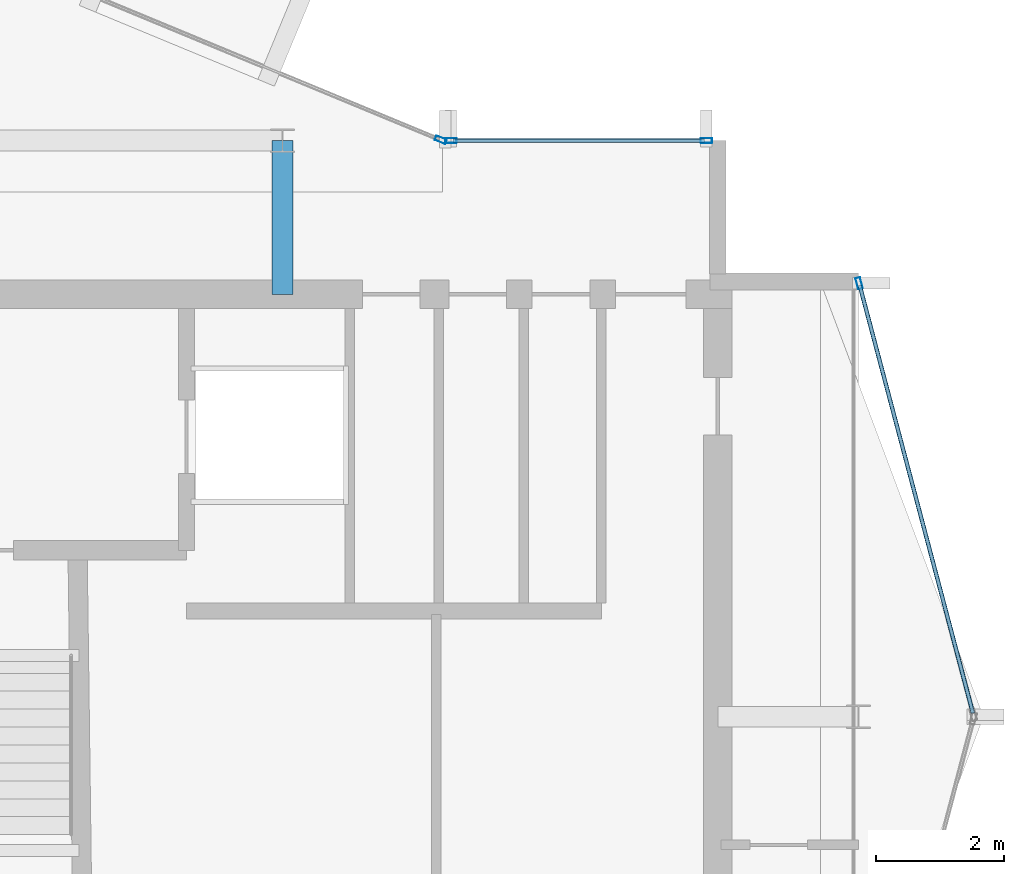
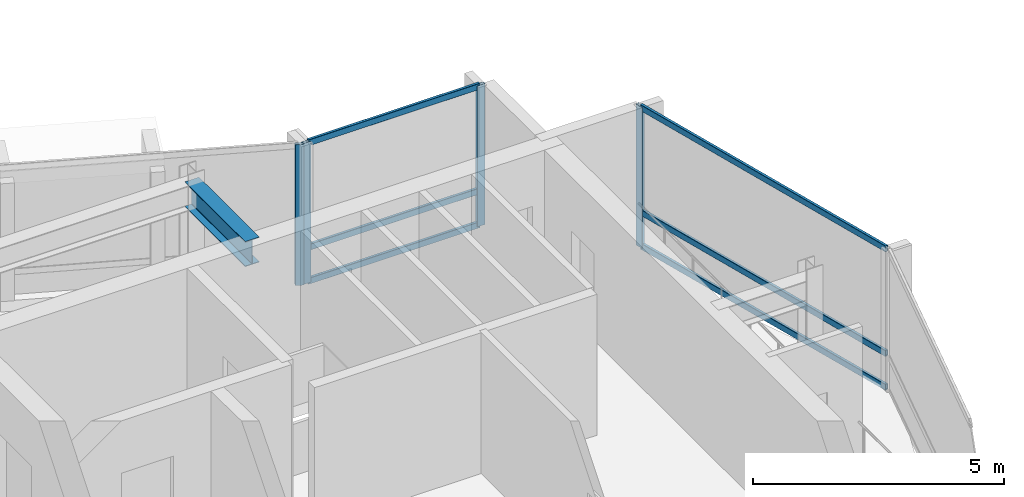
# One storey, part 10 of 19: 10 members, 1 beam, 3 elements without a shape of their own.
"""IFC4 building model written with IfcOpenShell, lengths in metres."""

from ifc_helpers import new_model, si_unit, direction, frame, origin, origin_2d, place, context, subcontext, project, spatial, hollow_rectangle, i_section, extrude, material, layer, layer_set, material_profile, profile_set, type_object, element, aggregate, save


model = new_model("IFC4")

# Units and contexts
model_context = context("Model", 3, precision=1e-05, world=origin(), true_north=direction((0.0, 1.0)))
body_context = subcontext(model_context, "Body", "Model", "MODEL_VIEW")
ifc_project = project(units=[si_unit("LENGTHUNIT", "METRE"), si_unit("AREAUNIT", "SQUARE_METRE"), si_unit("VOLUMEUNIT", "CUBIC_METRE"), si_unit("PLANEANGLEUNIT", "RADIAN"), si_unit("MASSUNIT", "GRAM", prefix="KILO")], contexts=[model_context])

# Site, building, storey
site_placement = place(None, origin())
site = spatial("IfcSite", under=ifc_project, at=site_placement, CompositionType="ELEMENT")
building_placement = place(site_placement, origin())
building = spatial("IfcBuilding", under=site, at=building_placement, Name="Solvaryn Broadcast Tower", CompositionType="ELEMENT")
storey_placement = place(building_placement, frame((0.0, 0.0, 290.0)))
storey = spatial("IfcBuildingStorey", under=building, at=storey_placement, Name="L73", CompositionType="ELEMENT", Elevation=290.0)

# Beam
ifc_material_1 = material(Name="Steel ASTM A992 Grade 50", Category="steel")
ifc_material_profile_1 = material_profile(ifc_material_1, i_section(OverallWidth=0.323974609375, OverallDepth=0.611083984375, WebThickness=0.0126953125, FlangeThickness=0.01904296875, FilletRadius=0.014892578125, at=origin_2d()))
ifc_profile_set_1 = profile_set([ifc_material_profile_1], Name="Steel ASTM A992 Grade 50")
beam_type = type_object("IfcBeamType", Name="BM-B1-W24X104", PredefinedType="BEAM", material=ifc_profile_set_1)
beam_placement = place(storey_placement, frame((36.0, 24.60009765625, 3.114501953125), z_axis=(0.0, 1.0, 0.0), x_axis=(-1.0, 0.0, 0.0)))
element("IfcBeam", 1, at=beam_placement, inside=storey, type_object=beam_type, Name="L73 Core Tie Beam CTE2", PredefinedType="BEAM", context=body_context, shape_type="SweptSolid", body=[
    extrude(i_section(OverallWidth=0.323974609375, OverallDepth=0.611083984375, WebThickness=0.0126953125, FlangeThickness=0.01904296875, FilletRadius=0.014892578125, at=origin_2d()), origin(), (0.0, 0.0, 1.0), 2.39990234375),
])

# Curtain wall, member
ifc_material_2 = material(Name="Aluminium and Terracotta Unitised Curtain Wall", Category="masonry")
ifc_layer = layer(ifc_material_2, 0.199951171875)
ifc_layer_set = layer_set([ifc_layer], Name="CW-SYS2-LOWMID")
curtain_wall_type = type_object("IfcCurtainWallType", Name="CW-SYS2-LOWMID", PredefinedType="NOTDEFINED", material=ifc_layer_set)
curtain_wall_1_placement = place(storey_placement, origin())
curtain_wall_1 = element("IfcCurtainWall", 2, at=curtain_wall_1_placement, inside=storey, type_object=curtain_wall_type, Name="L73 Curtain Wall CN1", PredefinedType="NOTDEFINED")
ifc_material_3 = material(Name="Anodised Aluminium 6063-T6", Category="aluminium")
ifc_material_profile_2 = material_profile(ifc_material_3, hollow_rectangle(XDim=0.074951171875, YDim=0.179931640625, WallThickness=0.00390625, InnerFilletRadius=0.00390625, OuterFilletRadius=0.008056640625, at=origin_2d()))
ifc_profile_set_2 = profile_set([ifc_material_profile_2], Name="Anodised Aluminium 6063-T6")
member_type_1 = type_object("IfcMemberType", Name="CW-MUL-180", PredefinedType="MULLION", material=ifc_profile_set_2)
member_1_placement = place(storey_placement, frame((38.47216796875, 27.011474609375, 0.0), z_axis=(0.0, 0.0, 1.0), x_axis=(-0.382646127145, -0.923894983957, 0.0)))
member_1 = element("IfcMember", 3, at=member_1_placement, type_object=member_type_1, Name="CWS2 mullion 1", PredefinedType="MULLION", context=body_context, shape_type="SweptSolid", body=[
    extrude(hollow_rectangle(XDim=0.074951171875, YDim=0.179931640625, WallThickness=0.00390625, InnerFilletRadius=0.00390625, OuterFilletRadius=0.008056640625, at=origin_2d()), origin(), (0.0, 0.0, 1.0), 3.419921875),
])
aggregate(curtain_wall_1, [member_1])

curtain_wall_2_placement = place(storey_placement, origin())
curtain_wall_2 = element("IfcCurtainWall", 4, at=curtain_wall_2_placement, inside=storey, type_object=curtain_wall_type, Name="L73 Curtain Wall ET1", PredefinedType="NOTDEFINED")
member_2_placement = place(storey_placement, frame((45.007568359375, 24.77099609375, 0.0), z_axis=(0.0, 0.0, 1.0), x_axis=(0.966705227863, 0.25589256031, 0.0)))
member_2 = element("IfcMember", 5, at=member_2_placement, type_object=member_type_1, Name="CWS2 mullion 1", PredefinedType="MULLION", context=body_context, shape_type="SweptSolid", body=[
    extrude(hollow_rectangle(XDim=0.074951171875, YDim=0.179931640625, WallThickness=0.00390625, InnerFilletRadius=0.00390625, OuterFilletRadius=0.008056640625, at=origin_2d()), origin(), (0.0, 0.0, 1.0), 3.419921875),
])

# Curtain wall, members
curtain_wall_3_placement = place(storey_placement, origin())
curtain_wall_3 = element("IfcCurtainWall", 6, at=curtain_wall_3_placement, inside=storey, type_object=curtain_wall_type, Name="L73 Curtain Wall IH", PredefinedType="NOTDEFINED")
member_3_placement = place(storey_placement, frame((38.6298828125, 27.0, 0.0), z_axis=(0.0, 0.0, 1.0), x_axis=(0.0, 1.0, 0.0)))
member_3 = element("IfcMember", 7, at=member_3_placement, type_object=member_type_1, Name="CWS2 mullion 1", PredefinedType="MULLION", context=body_context, shape_type="SweptSolid", body=[
    extrude(hollow_rectangle(XDim=0.074951171875, YDim=0.179931640625, WallThickness=0.00390625, InnerFilletRadius=0.00390625, OuterFilletRadius=0.008056640625, at=origin_2d()), origin(), (0.0, 0.0, 1.0), 3.419921875),
])
member_4_placement = place(storey_placement, frame((42.6201171875, 27.0, 0.0), z_axis=(0.0, 0.0, 1.0), x_axis=(0.0, 1.0, 0.0)))
member_4 = element("IfcMember", 8, at=member_4_placement, type_object=member_type_1, Name="CWS2 mullion 2", PredefinedType="MULLION", context=body_context, shape_type="SweptSolid", body=[
    extrude(hollow_rectangle(XDim=0.074951171875, YDim=0.179931640625, WallThickness=0.00390625, InnerFilletRadius=0.00390625, OuterFilletRadius=0.008056640625, at=origin_2d()), origin(), (0.0, 0.0, 1.0), 3.419921875),
])

# Member
ifc_material_4 = material(Name="Anodised Aluminium 6063-T6", Category="aluminium")
ifc_material_profile_3 = material_profile(ifc_material_4, hollow_rectangle(XDim=0.06494140625, YDim=0.14990234375, WallThickness=0.00390625, InnerFilletRadius=0.00390625, OuterFilletRadius=0.008056640625, at=origin_2d()))
ifc_profile_set_3 = profile_set([ifc_material_profile_3], Name="Anodised Aluminium 6063-T6")
member_type_2 = type_object("IfcMemberType", Name="CW-TRN-150", PredefinedType="USERDEFINED", material=ifc_profile_set_3)
member_5_placement = place(storey_placement, frame((45.015380859375, 24.741943359375, 0.030029296875), z_axis=(0.255897413051, -0.966703943301, 0.0), x_axis=(0.966703943301, 0.255897413051, 0.0)))
member_5 = element("IfcMember", 9, at=member_5_placement, type_object=member_type_2, Name="CWS2 transom 1.1", ObjectType="TRANSOM", PredefinedType="USERDEFINED", context=body_context, shape_type="SweptSolid", body=[
    extrude(hollow_rectangle(XDim=0.06494140625, YDim=0.14990234375, WallThickness=0.00390625, InnerFilletRadius=0.00390625, OuterFilletRadius=0.008056640625, at=origin_2d()), origin(), (0.0, 0.0, 1.0), 6.9140625),
])

member_6_placement = place(storey_placement, frame((45.015380859375, 24.741943359375, 0.85009765625), z_axis=(0.255897413051, -0.966703943301, 0.0), x_axis=(0.966703943301, 0.255897413051, 0.0)))
member_6 = element("IfcMember", 10, at=member_6_placement, type_object=member_type_2, Name="CWS2 transom 1.2", ObjectType="TRANSOM", PredefinedType="USERDEFINED", context=body_context, shape_type="SweptSolid", body=[
    extrude(hollow_rectangle(XDim=0.06494140625, YDim=0.14990234375, WallThickness=0.00390625, InnerFilletRadius=0.00390625, OuterFilletRadius=0.008056640625, at=origin_2d()), origin(), (0.0, 0.0, 1.0), 6.9140625),
])

member_7_placement = place(storey_placement, frame((45.015380859375, 24.741943359375, 3.389892578125), z_axis=(0.255897413051, -0.966703943301, 0.0), x_axis=(0.966703943301, 0.255897413051, 0.0)))
member_7 = element("IfcMember", 11, at=member_7_placement, type_object=member_type_2, Name="CWS2 transom 1.3", ObjectType="TRANSOM", PredefinedType="USERDEFINED", context=body_context, shape_type="SweptSolid", body=[
    extrude(hollow_rectangle(XDim=0.06494140625, YDim=0.14990234375, WallThickness=0.00390625, InnerFilletRadius=0.00390625, OuterFilletRadius=0.008056640625, at=origin_2d()), origin(), (0.0, 0.0, 1.0), 6.9140625),
])

aggregate(curtain_wall_2, [member_2, member_5, member_6, member_7])

member_8_placement = place(storey_placement, frame((38.659912109375, 27.0, 0.030029296875), z_axis=(1.0, 0.0, 0.0), x_axis=(0.0, 1.0, 0.0)))
member_8 = element("IfcMember", 12, at=member_8_placement, type_object=member_type_2, Name="CWS2 transom 1.1", ObjectType="TRANSOM", PredefinedType="USERDEFINED", context=body_context, shape_type="SweptSolid", body=[
    extrude(hollow_rectangle(XDim=0.06494140625, YDim=0.14990234375, WallThickness=0.00390625, InnerFilletRadius=0.00390625, OuterFilletRadius=0.008056640625, at=origin_2d()), origin(), (0.0, 0.0, 1.0), 3.93017578125),
])

member_9_placement = place(storey_placement, frame((38.659912109375, 27.0, 0.85009765625), z_axis=(1.0, 0.0, 0.0), x_axis=(0.0, 1.0, 0.0)))
member_9 = element("IfcMember", 13, at=member_9_placement, type_object=member_type_2, Name="CWS2 transom 1.2", ObjectType="TRANSOM", PredefinedType="USERDEFINED", context=body_context, shape_type="SweptSolid", body=[
    extrude(hollow_rectangle(XDim=0.06494140625, YDim=0.14990234375, WallThickness=0.00390625, InnerFilletRadius=0.00390625, OuterFilletRadius=0.008056640625, at=origin_2d()), origin(), (0.0, 0.0, 1.0), 3.93017578125),
])

member_10_placement = place(storey_placement, frame((38.659912109375, 27.0, 3.389892578125), z_axis=(1.0, 0.0, 0.0), x_axis=(0.0, 1.0, 0.0)))
member_10 = element("IfcMember", 14, at=member_10_placement, type_object=member_type_2, Name="CWS2 transom 1.3", ObjectType="TRANSOM", PredefinedType="USERDEFINED", context=body_context, shape_type="SweptSolid", body=[
    extrude(hollow_rectangle(XDim=0.06494140625, YDim=0.14990234375, WallThickness=0.00390625, InnerFilletRadius=0.00390625, OuterFilletRadius=0.008056640625, at=origin_2d()), origin(), (0.0, 0.0, 1.0), 3.93017578125),
])

aggregate(curtain_wall_3, [member_3, member_4, member_8, member_9, member_10])

save(model, "model.ifc")
